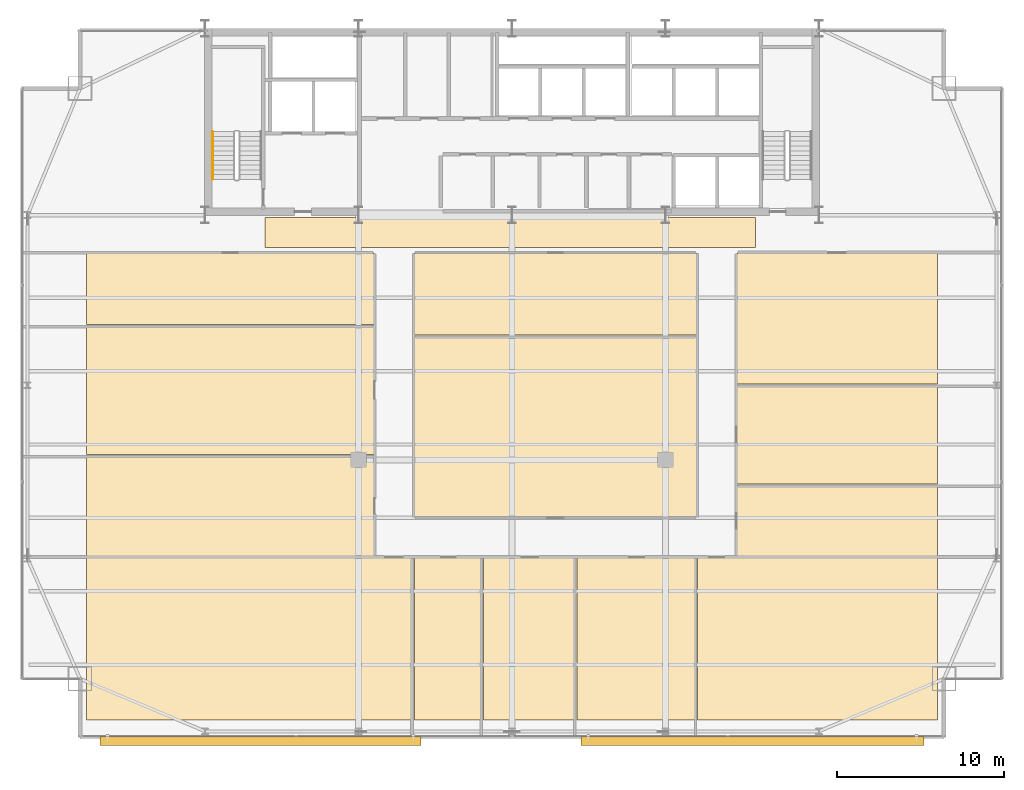
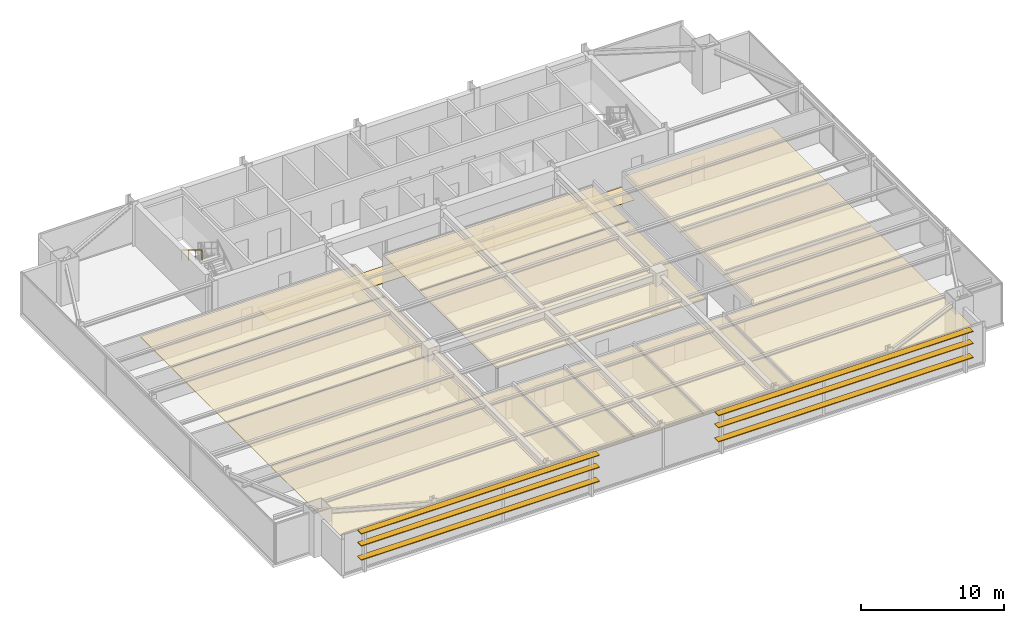
# One storey, part 32 of 33: 14 coverings, 6 shading devices, 1 railing.
"""IFC4 building model written with IfcOpenShell, lengths in metres."""

import ifcopenshell
import ifcopenshell.guid

model = None  # the IFC model being written
_history = None  # IfcOwnerHistory: only IFC2X3 demands one
_inside = {}  # id of a spatial element -> (the spatial element, [elements in it])
_under = {}  # id of a project, library or spatial element -> (it, [spatial elements below it])
_declared = {}  # id of a project -> (the project, [libraries it declares])
_typed = {}  # id of a type object -> (the type object, [elements of that type])
_made_of = {}  # id of a material, layer set ... -> (it, [elements and type objects made of it])


def new_model(schema):
    """Start an empty IFC model of exactly this schema.

    Asked for "IFC4X3", IfcOpenShell would pick the latest addendum, in which some entities
    have other attributes; the version numbers below select the first issue.
    IFC2X3 requires an IfcOwnerHistory on every rooted entity: one is made here for all.
    """
    global model, _history
    if schema == "IFC4X3":
        model = ifcopenshell.file(schema_version=(4, 3, 0, 0))
    else:
        model = ifcopenshell.file(schema=schema)
    _inside.clear()
    _under.clear()
    _declared.clear()
    _typed.clear()
    _made_of.clear()
    _history = None
    if model.schema == "IFC2X3":
        org = make("IfcOrganization", Name="unknown")
        user = make(
            "IfcPersonAndOrganization",
            ThePerson=make("IfcPerson", FamilyName="unknown"),
            TheOrganization=org,
        )
        app = make(
            "IfcApplication",
            ApplicationDeveloper=org,
            Version="unknown",
            ApplicationFullName="unknown",
            ApplicationIdentifier="unknown",
        )
        _history = make(
            "IfcOwnerHistory",
            OwningUser=user,
            OwningApplication=app,
            ChangeAction="ADDED",
            CreationDate=0,
        )
    return model


def make(cls, **values):
    """One entity of the class cls with the attributes given. An attribute that is None is left unset."""
    return model.create_entity(
        cls, **{name: value for name, value in values.items() if value is not None}
    )


def rooted(cls, **values):
    """An entity with a GlobalId (a new one), such as an element, a storey or a relation."""
    return make(cls, GlobalId=ifcopenshell.guid.new(), OwnerHistory=_history, **values)


def si_unit(unit_type, name, prefix=None):
    """IfcSIUnit, for example si_unit("LENGTHUNIT", "METRE", prefix="MILLI")."""
    return make("IfcSIUnit", UnitType=unit_type, Prefix=prefix, Name=name)


def assignment(units):
    """IfcUnitAssignment: the units of a project."""
    return None if units is None else make("IfcUnitAssignment", Units=units)


def point(xyz):
    """IfcCartesianPoint."""
    return None if xyz is None else make("IfcCartesianPoint", Coordinates=xyz)


def direction(xyz):
    """IfcDirection."""
    return None if xyz is None else make("IfcDirection", DirectionRatios=xyz)


def frame(location, z_axis=None, x_axis=None):
    """IfcAxis2Placement3D, a coordinate frame: its origin and axes. An axis left out is left unset."""
    return make(
        "IfcAxis2Placement3D",
        Location=point(location),
        Axis=direction(z_axis),
        RefDirection=direction(x_axis),
    )


def frame_2d(location, x_axis=None):
    """IfcAxis2Placement2D, a coordinate frame in the plane: its origin and x axis."""
    return make(
        "IfcAxis2Placement2D", Location=point(location), RefDirection=direction(x_axis)
    )


def origin():
    """The frame at (0, 0, 0) with its axes left unset."""
    return frame((0.0, 0.0, 0.0))


def origin_2d():
    """The frame at (0, 0) in the plane with its x axis left unset."""
    return frame_2d((0.0, 0.0))


def place(relative_to, where):
    """IfcLocalPlacement: puts the frame where relative to a parent placement (None: the world)."""
    return make(
        "IfcLocalPlacement", PlacementRelTo=relative_to, RelativePlacement=where
    )


def context(
    kind, dimensions, precision=None, world=None, true_north=None, identifier=None
):
    """IfcGeometricRepresentationContext, for example the 3D "Model" context."""
    return make(
        "IfcGeometricRepresentationContext",
        ContextIdentifier=identifier,
        ContextType=kind,
        CoordinateSpaceDimension=dimensions,
        Precision=precision,
        WorldCoordinateSystem=world,
        TrueNorth=true_north,
    )


def subcontext(parent, identifier, kind, view, scale=None):
    """IfcGeometricRepresentationSubContext, for example "Body" below "Model"."""
    return make(
        "IfcGeometricRepresentationSubContext",
        ContextIdentifier=identifier,
        ContextType=kind,
        ParentContext=parent,
        TargetScale=scale,
        TargetView=view,
    )


def project(units=None, contexts=None):
    """IfcProject with its units and contexts."""
    return rooted(
        "IfcProject",
        Name="project",
        RepresentationContexts=contexts,
        UnitsInContext=assignment(units),
    )


def spatial(cls, under=None, at=None, **own):
    """A site, building, storey or space (cls), placed at a placement, below another one or the project."""
    s = rooted(cls, ObjectPlacement=at, **own)
    if under is not None:
        _under.setdefault(under.id(), (under, []))[1].append(s)
    return s


def polyline(points):
    """IfcPolyline through the points."""
    return make("IfcPolyline", Points=[point(p) for p in points])


def profile(cls, at=None, kind="AREA", **sizes):
    """A parametric profile (cls). Its sizes go by their IFC names, for example OverallWidth=200.0."""
    return make(cls, ProfileType=kind, Position=at, **sizes)


def rectangle(**sizes):
    """IfcRectangleProfileDef."""
    return profile("IfcRectangleProfileDef", **sizes)


def outline(outer, holes=None, kind="AREA"):
    """IfcArbitraryClosedProfileDef: a profile drawn as a closed curve; with holes, ...WithVoids."""
    if holes is None:
        return make("IfcArbitraryClosedProfileDef", ProfileType=kind, OuterCurve=outer)
    return make(
        "IfcArbitraryProfileDefWithVoids",
        ProfileType=kind,
        OuterCurve=outer,
        InnerCurves=holes,
    )


def extrude(swept, where, along, depth):
    """IfcExtrudedAreaSolid: the profile swept, set in the frame where, extruded along a direction by depth."""
    return make(
        "IfcExtrudedAreaSolid",
        SweptArea=swept,
        Position=where,
        ExtrudedDirection=direction(along),
        Depth=depth,
    )


def shape(context_of_items, identifier, shape_type, items):
    """IfcShapeRepresentation: the items that make up one representation, for example the "Body"."""
    return make(
        "IfcShapeRepresentation",
        ContextOfItems=context_of_items,
        RepresentationIdentifier=identifier,
        RepresentationType=shape_type,
        Items=items,
    )


def source(mapping_origin, context_of_items, identifier, shape_type, items):
    """IfcRepresentationMap: a shape defined once, which mapped items show again and again."""
    return make(
        "IfcRepresentationMap",
        MappingOrigin=mapping_origin,
        MappedRepresentation=shape(context_of_items, identifier, shape_type, items),
    )


def transform(
    local_origin,
    x_axis=None,
    y_axis=None,
    z_axis=None,
    scale=None,
    scale2=None,
    scale3=None,
    uniform=True,
):
    """IfcCartesianTransformationOperator3D, or its non-uniform kind. x_axis, y_axis, z_axis: its Axis1, 2, 3."""
    if uniform:
        return make(
            "IfcCartesianTransformationOperator3D",
            Axis1=direction(x_axis),
            Axis2=direction(y_axis),
            LocalOrigin=point(local_origin),
            Scale=scale,
            Axis3=direction(z_axis),
        )
    return make(
        "IfcCartesianTransformationOperator3DnonUniform",
        Axis1=direction(x_axis),
        Axis2=direction(y_axis),
        LocalOrigin=point(local_origin),
        Scale=scale,
        Axis3=direction(z_axis),
        Scale2=scale2,
        Scale3=scale3,
    )


def mapped(mapping_source, mapping_target):
    """IfcMappedItem: shows the shape of a source again, moved by a transform."""
    return make(
        "IfcMappedItem", MappingSource=mapping_source, MappingTarget=mapping_target
    )


def material(Name=None, Category=None):
    """IfcMaterial."""
    return make("IfcMaterial", Name=Name, Category=Category)


def layer(
    of_material, thickness, ventilated=None, Name=None, Category=None, Priority=None
):
    """IfcMaterialLayer: one layer of a wall or slab, of a material (None: an air gap)."""
    return make(
        "IfcMaterialLayer",
        Material=of_material,
        LayerThickness=thickness,
        IsVentilated=ventilated,
        Name=Name,
        Category=Category,
        Priority=Priority,
    )


def layer_set(layers, Name=None):
    """IfcMaterialLayerSet."""
    return make("IfcMaterialLayerSet", MaterialLayers=layers, LayerSetName=Name)


def made_of(thing, what):
    """Note that an element or type object is made of a material, layer set ...; save() writes the relation."""
    if what is not None:
        _made_of.setdefault(what.id(), (what, []))[1].append(thing)
    return thing


def type_object(cls, material=None, **own):
    """A type object (cls), such as IfcWallType, which elements share."""
    return made_of(rooted(cls, **own), material)


def type_shapes(of_type, sources):
    """Give a type object the sources (RepresentationMaps) that its elements show as mapped items."""
    of_type.RepresentationMaps = sources


def element(
    cls,
    number,
    at=None,
    inside=None,
    cuts=None,
    type_object=None,
    material=None,
    context=None,
    identifier="Body",
    shape_type=None,
    held_by="IfcProductDefinitionShape",
    body=None,
    shapes=None,
    **own,
):
    """One element of the class cls, such as IfcWall. Its Tag is "e" and its number.

    at: its placement. inside: the storey or other place that contains it. cuts: it is an
    opening in that element (IfcRelVoidsElement). A single representation is given by context,
    identifier, shape_type and body (its items); several are given by shapes. held_by: the class
    of the entity that holds the representations. save() writes the other relations.
    """
    e = rooted(cls, Tag="e%d" % number, ObjectPlacement=at, **own)
    if body is not None:
        shapes = [shape(context, identifier, shape_type, body)]
    if shapes is not None:
        e.Representation = make(held_by, Representations=shapes)
    if inside is not None:
        _inside.setdefault(inside.id(), (inside, []))[1].append(e)
    if cuts is not None:
        rooted(
            "IfcRelVoidsElement", RelatingBuildingElement=cuts, RelatedOpeningElement=e
        )
    if type_object is not None:
        _typed.setdefault(type_object.id(), (type_object, []))[1].append(e)
    return made_of(e, material)


def aggregate(whole, parts):
    """IfcRelAggregates: a whole, such as a stair, and the parts it consists of."""
    return rooted("IfcRelAggregates", RelatingObject=whole, RelatedObjects=parts)


def save(model, path):
    """Write the relations noted so far, then the file.

    IfcRelAggregates (storeys below a building ...), IfcRelContainedInSpatialStructure (elements
    in a storey), IfcRelDefinesByType, IfcRelAssociatesMaterial and IfcRelDeclares: one each for
    every whole, place, type object, material and project.
    """
    for whole, parts in _under.values():
        aggregate(whole, parts)
    for where, things in _inside.values():
        rooted(
            "IfcRelContainedInSpatialStructure",
            RelatedElements=things,
            RelatingStructure=where,
        )
    for kind, things in _typed.values():
        rooted("IfcRelDefinesByType", RelatedObjects=things, RelatingType=kind)
    for what, things in _made_of.values():
        rooted("IfcRelAssociatesMaterial", RelatedObjects=things, RelatingMaterial=what)
    for by, libraries in _declared.values():
        rooted("IfcRelDeclares", RelatingContext=by, RelatedDefinitions=libraries)
    model.write(path)


model = new_model("IFC4")

# Units and contexts
model_context = context("Model", 3, precision=1e-05, world=origin(), true_north=direction((0.0, 1.0)))
body_context = subcontext(model_context, "Body", "Model", "MODEL_VIEW")
ifc_project = project(units=[si_unit("LENGTHUNIT", "METRE"), si_unit("AREAUNIT", "SQUARE_METRE"), si_unit("VOLUMEUNIT", "CUBIC_METRE"), si_unit("PLANEANGLEUNIT", "RADIAN"), si_unit("MASSUNIT", "GRAM", prefix="KILO")], contexts=[model_context])

# Site, building, storey
site_placement = place(None, origin())
site = spatial("IfcSite", under=ifc_project, at=site_placement, CompositionType="ELEMENT")
building_placement = place(site_placement, origin())
building = spatial("IfcBuilding", under=site, at=building_placement, Name="Varnel Quay Broadcast Tower", CompositionType="ELEMENT")
storey_placement = place(building_placement, frame((0.0, 0.0, 137.199951171875)))
storey = spatial("IfcBuildingStorey", under=building, at=storey_placement, Name="L33", CompositionType="ELEMENT", Elevation=137.199951171875)

# Coverings
ifc_material_1 = material(Name="Micro-Perforated Acoustic Ceiling Tile")
ifc_layer_1 = layer(ifc_material_1, 0.0400390625, Name="Micro-Perforated Acoustic Ceiling Tile")
ifc_layer_set_1 = layer_set([ifc_layer_1], Name="Micro-Perforated Acoustic Ceiling Tile")
covering_type_1 = type_object("IfcCoveringType", Name="Cov_AcousticCeiling", PredefinedType="CEILING", material=ifc_layer_set_1)
covering_1_placement = place(storey_placement, frame((0.0, 0.0, 2.580078125)))
element("IfcCovering", 1, at=covering_1_placement, inside=storey, type_object=covering_type_1, Name="L33 Editorial Boardroom 1 Acoustic Ceiling", PredefinedType="CEILING", context=body_context, shape_type="SweptSolid", body=[
    extrude(outline(polyline([(8.485107421875, 5.324951171875), (28.074951171875, 5.324951171875), (28.074951171875, 15.054931640625), (8.485107421875, 15.054931640625), (8.485107421875, 5.324951171875)])), origin(), (0.0, 0.0, 1.0), 0.0400390625),
])
covering_2_placement = place(storey_placement, frame((0.0, 0.0, 2.580078125)))
element("IfcCovering", 2, at=covering_2_placement, inside=storey, type_object=covering_type_1, Name="L33 Break Kitchen 2 Acoustic Ceiling", PredefinedType="CEILING", context=body_context, shape_type="SweptSolid", body=[
    extrude(outline(polyline([(28.14501953125, 5.324951171875), (32.235107421875, 5.324951171875), (32.235107421875, 15.054931640625), (28.14501953125, 15.054931640625), (28.14501953125, 5.324951171875)])), origin(), (0.0, 0.0, 1.0), 0.0400390625),
])
covering_3_placement = place(storey_placement, frame((0.0, 0.0, 2.580078125)))
element("IfcCovering", 3, at=covering_3_placement, inside=storey, type_object=covering_type_1, Name="L33 Press Green Lounge 3 Acoustic Ceiling", PredefinedType="CEILING", context=body_context, shape_type="SweptSolid", body=[
    extrude(outline(polyline([(32.304931640625, 5.324951171875), (37.8349609375, 5.324951171875), (37.8349609375, 15.054931640625), (32.304931640625, 15.054931640625), (32.304931640625, 5.324951171875)])), origin(), (0.0, 0.0, 1.0), 0.0400390625),
])
covering_4_placement = place(storey_placement, frame((0.0, 0.0, 2.580078125)))
element("IfcCovering", 4, at=covering_4_placement, inside=storey, type_object=covering_type_1, Name="L33 Camera Locker Store 4 Acoustic Ceiling", PredefinedType="CEILING", context=body_context, shape_type="SweptSolid", body=[
    extrude(outline(polyline([(37.905029296875, 5.324951171875), (45.06494140625, 5.324951171875), (45.06494140625, 15.054931640625), (37.905029296875, 15.054931640625), (37.905029296875, 5.324951171875)])), origin(), (0.0, 0.0, 1.0), 0.0400390625),
])
covering_5_placement = place(storey_placement, frame((0.0, 0.0, 2.580078125)))
element("IfcCovering", 5, at=covering_5_placement, inside=storey, type_object=covering_type_1, Name="L33 Broadcast Newsroom 5 Acoustic Ceiling", PredefinedType="CEILING", context=body_context, shape_type="SweptSolid", body=[
    extrude(outline(polyline([(45.135009765625, 5.324951171875), (59.514892578125, 5.324951171875), (59.514892578125, 15.054931640625), (45.135009765625, 15.054931640625), (45.135009765625, 5.324951171875)])), origin(), (0.0, 0.0, 1.0), 0.0400390625),
])
covering_6_placement = place(storey_placement, frame((0.0, 0.0, 2.580078125)))
element("IfcCovering", 6, at=covering_6_placement, inside=storey, type_object=covering_type_1, Name="L33 Assignment Desk 6 Acoustic Ceiling", PredefinedType="CEILING", context=body_context, shape_type="SweptSolid", body=[
    extrude(outline(polyline([(8.485107421875, 15.125), (25.72509765625, 15.125), (25.72509765625, 21.175048828125), (8.485107421875, 21.175048828125), (8.485107421875, 15.125)])), origin(), (0.0, 0.0, 1.0), 0.0400390625),
])
covering_7_placement = place(storey_placement, frame((0.0, 0.0, 2.580078125)))
element("IfcCovering", 7, at=covering_7_placement, inside=storey, type_object=covering_type_1, Name="L33 Editorial Boardroom 7 Acoustic Ceiling", PredefinedType="CEILING", context=body_context, shape_type="SweptSolid", body=[
    extrude(outline(polyline([(8.485107421875, 21.2451171875), (25.72509765625, 21.2451171875), (25.72509765625, 28.97509765625), (8.485107421875, 28.97509765625), (8.485107421875, 21.2451171875)])), origin(), (0.0, 0.0, 1.0), 0.0400390625),
])
covering_8_placement = place(storey_placement, frame((0.0, 0.0, 2.580078125)))
element("IfcCovering", 8, at=covering_8_placement, inside=storey, type_object=covering_type_1, Name="L33 Break Kitchen 8 Acoustic Ceiling", PredefinedType="CEILING", context=body_context, shape_type="SweptSolid", body=[
    extrude(outline(polyline([(8.485107421875, 29.044921875), (25.72509765625, 29.044921875), (25.72509765625, 33.31494140625), (8.485107421875, 33.31494140625), (8.485107421875, 29.044921875)])), origin(), (0.0, 0.0, 1.0), 0.0400390625),
])
covering_9_placement = place(storey_placement, frame((0.0, 0.0, 2.580078125)))
element("IfcCovering", 9, at=covering_9_placement, inside=storey, type_object=covering_type_1, Name="L33 Press Green Lounge 9 Acoustic Ceiling", PredefinedType="CEILING", context=body_context, shape_type="SweptSolid", body=[
    extrude(outline(polyline([(28.14501953125, 17.47509765625), (45.06494140625, 17.47509765625), (45.06494140625, 28.344970703125), (28.14501953125, 28.344970703125), (28.14501953125, 17.47509765625)])), origin(), (0.0, 0.0, 1.0), 0.0400390625),
])
covering_10_placement = place(storey_placement, frame((0.0, 0.0, 2.580078125)))
element("IfcCovering", 10, at=covering_10_placement, inside=storey, type_object=covering_type_1, Name="L33 Camera Locker Store 10 Acoustic Ceiling", PredefinedType="CEILING", context=body_context, shape_type="SweptSolid", body=[
    extrude(outline(polyline([(28.14501953125, 28.4150390625), (45.06494140625, 28.4150390625), (45.06494140625, 33.31494140625), (28.14501953125, 33.31494140625), (28.14501953125, 28.4150390625)])), origin(), (0.0, 0.0, 1.0), 0.0400390625),
])
covering_11_placement = place(storey_placement, frame((0.0, 0.0, 2.580078125)))
element("IfcCovering", 11, at=covering_11_placement, inside=storey, type_object=covering_type_1, Name="L33 Broadcast Newsroom 11 Acoustic Ceiling", PredefinedType="CEILING", context=body_context, shape_type="SweptSolid", body=[
    extrude(outline(polyline([(47.485107421875, 15.125), (59.514892578125, 15.125), (59.514892578125, 19.39501953125), (47.485107421875, 19.39501953125), (47.485107421875, 15.125)])), origin(), (0.0, 0.0, 1.0), 0.0400390625),
])
covering_12_placement = place(storey_placement, frame((0.0, 0.0, 2.580078125)))
element("IfcCovering", 12, at=covering_12_placement, inside=storey, type_object=covering_type_1, Name="L33 Assignment Desk 12 Acoustic Ceiling", PredefinedType="CEILING", context=body_context, shape_type="SweptSolid", body=[
    extrude(outline(polyline([(47.485107421875, 19.465087890625), (59.514892578125, 19.465087890625), (59.514892578125, 25.4150390625), (47.485107421875, 25.4150390625), (47.485107421875, 19.465087890625)])), origin(), (0.0, 0.0, 1.0), 0.0400390625),
])
covering_13_placement = place(storey_placement, frame((0.0, 0.0, 2.580078125)))
element("IfcCovering", 13, at=covering_13_placement, inside=storey, type_object=covering_type_1, Name="L33 Editorial Boardroom 13 Acoustic Ceiling", PredefinedType="CEILING", context=body_context, shape_type="SweptSolid", body=[
    extrude(outline(polyline([(47.485107421875, 25.485107421875), (59.514892578125, 25.485107421875), (59.514892578125, 33.31494140625), (47.485107421875, 33.31494140625), (47.485107421875, 25.485107421875)])), origin(), (0.0, 0.0, 1.0), 0.0400390625),
])
ifc_material_2 = material(Name="Polished Terrazzo & Broadcast Raised Flooring")
ifc_layer_2 = layer(ifc_material_2, 0.0400390625, Name="Polished Terrazzo & Broadcast Raised Flooring")
ifc_layer_set_2 = layer_set([ifc_layer_2], Name="Polished Terrazzo & Broadcast Raised Flooring")
covering_type_2 = type_object("IfcCoveringType", Name="Cov_TerrazzoFloor", PredefinedType="FLOORING", material=ifc_layer_set_2)
covering_14_placement = place(storey_placement, origin())
element("IfcCovering", 14, at=covering_14_placement, inside=storey, type_object=covering_type_2, Name="L33 Corridor Terrazzo Flooring", PredefinedType="FLOORING", context=body_context, shape_type="SweptSolid", body=[
    extrude(outline(polyline([(19.199951171875, 33.64990234375), (48.60009765625, 33.64990234375), (48.60009765625, 35.449951171875), (19.199951171875, 35.449951171875), (19.199951171875, 33.64990234375)])), origin(), (0.0, 0.0, 1.0), 0.0400390625),
])

# Railing
ifc_material_3 = material(Name="Painted Steel Guard and Handrail CSA G40.21 350W", Category="steel")
railing_type = type_object("IfcRailingType", Name="Rail_StairHandrail900", PredefinedType="HANDRAIL", material=ifc_material_3)
railing_placement = place(storey_placement, frame((16.050048828125, 40.60009765625, 2.07275390625)))
element("IfcRailing", 15, at=railing_placement, inside=storey, type_object=railing_type, Name="L33 ST-01 stair handrail 2", PredefinedType="HANDRAIL", context=body_context, shape_type="SweptSolid", body=[
    extrude(rectangle(XDim=0.048095703125, YDim=0.048095703125, at=origin_2d()), frame((0.0, 0.0, 0.8759765625), z_axis=(0.0, -0.855202751398, 0.518293598264), x_axis=(1.0, 0.0, 0.0)), (0.0, 0.0, 1.0), 3.332763671875),
    extrude(rectangle(XDim=0.0419921875, YDim=0.0419921875, at=origin_2d()), origin(), (0.0, 0.0, 1.0), 0.851806640625),
    extrude(rectangle(XDim=0.0419921875, YDim=0.0419921875, at=origin_2d()), frame((0.0, -0.949951171875, 0.57568359375)), (0.0, 0.0, 1.0), 0.851806640625),
    extrude(rectangle(XDim=0.0419921875, YDim=0.0419921875, at=origin_2d()), frame((0.0, -1.900146484375, 1.151611328125)), (0.0, 0.0, 1.0), 0.851806640625),
    extrude(rectangle(XDim=0.0419921875, YDim=0.0419921875, at=origin_2d()), frame((0.0, -2.85009765625, 1.727294921875)), (0.0, 0.0, 1.0), 0.851806640625),
])

# Shading devices
ifc_material_4 = material(Name="Bronze-Terracotta Extruded Ceramic Blade", Category="masonry")
ifc_layer_3 = layer(ifc_material_4, 0.06494140625, Name="Bronze-Terracotta Extruded Ceramic Blade")
ifc_layer_set_3 = layer_set([ifc_layer_3], Name="Bronze-Terracotta Extruded Ceramic Blade")
shading_device_type = type_object("IfcShadingDeviceType", Name="Shade_LouvreBlade550", PredefinedType="JALOUSIE", material=ifc_layer_set_3)
shared_shape_1 = source(origin(), body_context, "Body", "SweptSolid", [
    extrude(rectangle(XDim=20.569091796875, YDim=0.550048828125, at=origin_2d()), origin(), (0.0, 0.0, 1.0), 0.06494140625),
])
for number, where, z_axis, x_axis, name in (
    (16, (48.416015625, 4.06005859375, 1.11767578125), (0.0, 0.0, 1.0), (1.0, 0.0, 0.0), "L33 Lobe 2 Horizontal Louvre Blade 1"),
    (17, (48.416015625, 4.06005859375, 2.317626953125), (0.0, 0.0, 1.0), (1.0, 0.0, 0.0), "L33 Lobe 2 Horizontal Louvre Blade 2"),
    (18, (48.416015625, 4.06005859375, 3.34765625), (0.0, 0.0, 1.0), (1.0, 0.0, 0.0), "L33 Lobe 2 Horizontal Louvre Blade 3"),
):
    element("IfcShadingDevice", number, at=place(storey_placement, frame(where, z_axis=z_axis, x_axis=x_axis)), inside=storey, type_object=shading_device_type, Name=name, PredefinedType="JALOUSIE", context=body_context, shape_type="MappedRepresentation", body=[
        mapped(shared_shape_1, transform((0.0, 0.0, 0.0), x_axis=(1.0, 0.0, 0.0), y_axis=(0.0, 1.0, 0.0), z_axis=(0.0, 0.0, 1.0), scale=1.0)),
    ])
shared_shape_2 = source(origin(), body_context, "Body", "SweptSolid", [
    extrude(rectangle(XDim=19.23095703125, YDim=0.550048828125, at=origin_2d()), origin(), (0.0, 0.0, 1.0), 0.06494140625),
])
type_shapes(shading_device_type, [shared_shape_1, shared_shape_2])
for number, where, z_axis, x_axis, name in (
    (19, (18.916015625, 4.06005859375, 1.11767578125), (0.0, 0.0, 1.0), (1.0, 0.0, 0.0), "L33 Lobe 1 Horizontal Louvre Blade 1"),
    (20, (18.916015625, 4.06005859375, 2.317626953125), (0.0, 0.0, 1.0), (1.0, 0.0, 0.0), "L33 Lobe 1 Horizontal Louvre Blade 2"),
    (21, (18.916015625, 4.06005859375, 3.34765625), (0.0, 0.0, 1.0), (1.0, 0.0, 0.0), "L33 Lobe 1 Horizontal Louvre Blade 3"),
):
    element("IfcShadingDevice", number, at=place(storey_placement, frame(where, z_axis=z_axis, x_axis=x_axis)), inside=storey, type_object=shading_device_type, Name=name, PredefinedType="JALOUSIE", context=body_context, shape_type="MappedRepresentation", body=[
        mapped(shared_shape_2, transform((0.0, 0.0, 0.0), x_axis=(1.0, 0.0, 0.0), y_axis=(0.0, 1.0, 0.0), z_axis=(0.0, 0.0, 1.0), scale=1.0)),
    ])

save(model, "model.ifc")
